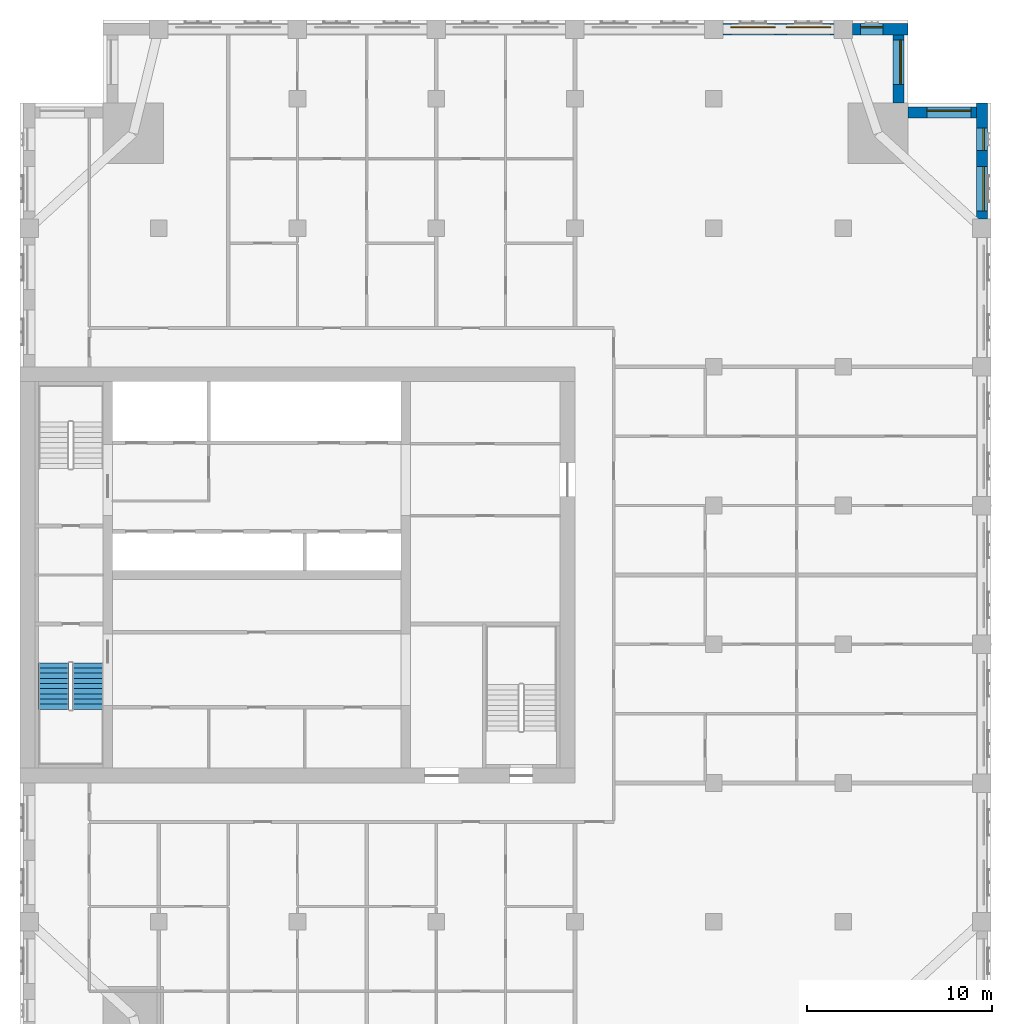
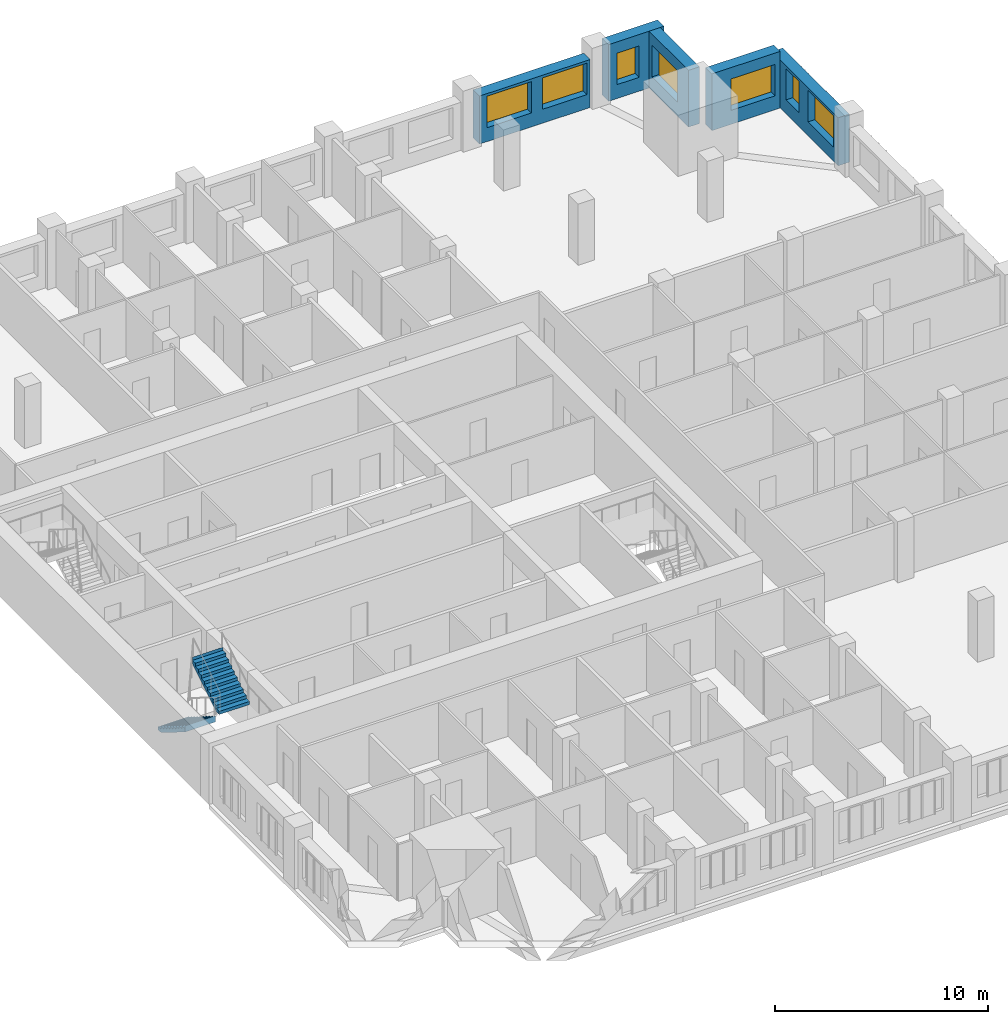
# One storey, part 12 of 14: 7 windows, 5 walls, 2 stair flights, 7 openings, 1 element without a shape of its own.
"""IFC4 building model written with IfcOpenShell, lengths in metres."""

from ifc_helpers import new_model, si_unit, direction, frame, frame_2d, origin, place, context, subcontext, project, spatial, polyline, rectangle, outline, extrude, material, layer, layer_set, type_object, element, fill, aggregate, save


model = new_model("IFC4")

# Units and contexts
model_context = context("Model", 3, precision=1e-05, world=origin(), true_north=direction((0.0, 1.0)))
body_context = subcontext(model_context, "Body", "Model", "MODEL_VIEW")
ifc_project = project(units=[si_unit("LENGTHUNIT", "METRE"), si_unit("AREAUNIT", "SQUARE_METRE"), si_unit("VOLUMEUNIT", "CUBIC_METRE"), si_unit("PLANEANGLEUNIT", "RADIAN"), si_unit("MASSUNIT", "GRAM", prefix="KILO")], contexts=[model_context])

# Site, building, storey
site_placement = place(None, origin())
site = spatial("IfcSite", under=ifc_project, at=site_placement, CompositionType="ELEMENT")
building_placement = place(site_placement, origin())
building = spatial("IfcBuilding", under=site, at=building_placement, Name="Tamorin Gate", CompositionType="ELEMENT")
storey_placement = place(building_placement, frame((0.0, 0.0, 193.199951171875)))
storey = spatial("IfcBuildingStorey", under=building, at=storey_placement, Name="L47", CompositionType="ELEMENT", Elevation=193.199951171875)

# Wall, openings, windows
ifc_material_1 = material(Name="Precast concrete C40/50", Category="concrete")
ifc_layer = layer(ifc_material_1, 0.60009765625)
ifc_layer_set = layer_set([ifc_layer], Name="Precast concrete C40/50")
wall_type = type_object("IfcWallType", Name="Board-marked concrete facade panel 600", PredefinedType="SOLIDWALL", material=ifc_layer_set)
wall_1_placement = place(storey_placement, frame((82.0, 90.5, 0.0), z_axis=(0.0, 0.0, 1.0), x_axis=(0.0, 1.0, 0.0)))
wall_1 = element("IfcWall", 1, at=wall_1_placement, inside=storey, type_object=wall_type, Name="Facade panel", PredefinedType="SOLIDWALL", context=body_context, shape_type="SweptSolid", body=[
    extrude(rectangle(XDim=6.25, YDim=0.60009765625, at=frame_2d((3.125, 0.0))), origin(), (0.0, 0.0, 1.0), 2.75),
])
opening_1_placement = place(wall_1_placement, frame((0.425048828125, 0.0, 0.800048828125)))
opening_1 = element("IfcOpeningElement", 2, at=opening_1_placement, cuts=wall_1, Name="Opening WN1", PredefinedType="OPENING", context=body_context, shape_type="SweptSolid", body=[
    extrude(rectangle(XDim=2.39990234375, YDim=1.800048828125, at=frame_2d((1.199951171875, 0.89990234375))), frame((0.0, 0.31005859375, 0.0), z_axis=(0.0, -1.0, 0.0), x_axis=(1.0, 0.0, 0.0)), (0.0, 0.0, 1.0), 0.6201171875),
])
opening_2_placement = place(wall_1_placement, frame((3.699951171875, 0.0, 0.800048828125)))
opening_2 = element("IfcOpeningElement", 3, at=opening_2_placement, cuts=wall_1, Name="Opening WN3", PredefinedType="OPENING", context=body_context, shape_type="SweptSolid", body=[
    extrude(rectangle(XDim=1.199951171875, YDim=1.800048828125, at=frame_2d((0.60009765625, 0.89990234375))), frame((0.0, 0.31005859375, 0.0), z_axis=(0.0, -1.0, 0.0), x_axis=(1.0, 0.0, 0.0)), (0.0, 0.0, 1.0), 0.6201171875),
])
ifc_material_2 = material(Name="Clear glass in aluminium frame", Category="aluminium")
window_type_1 = type_object("IfcWindowType", Name="Deep-set window 1200x1800", PartitioningType="SINGLE_PANEL", PredefinedType="WINDOW", material=ifc_material_2)
window_1_placement = place(opening_2_placement, origin())
window_1 = element("IfcWindow", 4, at=window_1_placement, inside=storey, type_object=window_type_1, Name="Deep-set window", OverallHeight=1.800048828125, OverallWidth=1.199951171875, PartitioningType="SINGLE_PANEL", PredefinedType="WINDOW", context=body_context, shape_type="SweptSolid", body=[
    extrude(rectangle(XDim=1.199951171875, YDim=1.800048828125, at=frame_2d((0.60009765625, 0.89990234375))), frame((0.0, -0.070068359375, 0.0), z_axis=(0.0, -1.0, 0.0), x_axis=(1.0, 0.0, 0.0)), (0.0, 0.0, 1.0), 0.06005859375),
])
fill(opening_2, window_1)
window_type_2 = type_object("IfcWindowType", Name="Deep-set window 2400x1800", PartitioningType="SINGLE_PANEL", PredefinedType="WINDOW", material=ifc_material_2)
window_2_placement = place(opening_1_placement, origin())
window_2 = element("IfcWindow", 5, at=window_2_placement, inside=storey, type_object=window_type_2, Name="Deep-set window", OverallHeight=1.800048828125, OverallWidth=2.39990234375, PartitioningType="SINGLE_PANEL", PredefinedType="WINDOW", context=body_context, shape_type="SweptSolid", body=[
    extrude(rectangle(XDim=2.39990234375, YDim=1.800048828125, at=frame_2d((1.199951171875, 0.89990234375))), frame((0.0, -0.070068359375, 0.0), z_axis=(0.0, -1.0, 0.0), x_axis=(1.0, 0.0, 0.0)), (0.0, 0.0, 1.0), 0.06005859375),
])
fill(opening_1, window_2)

# Wall, opening, window
wall_2_placement = place(storey_placement, frame((81.699951171875, 96.25, 0.0), z_axis=(0.0, 0.0, 1.0), x_axis=(-1.0, 0.0, 0.0)))
wall_2 = element("IfcWall", 6, at=wall_2_placement, inside=storey, type_object=wall_type, Name="Facade panel", PredefinedType="SOLIDWALL", context=body_context, shape_type="SweptSolid", body=[
    extrude(rectangle(XDim=3.699951171875, YDim=0.60009765625, at=frame_2d((1.85009765625, 0.0))), origin(), (0.0, 0.0, 1.0), 3.25),
])
opening_3_placement = place(wall_2_placement, frame((0.27490234375, 0.0, 0.800048828125)))
opening_3 = element("IfcOpeningElement", 7, at=opening_3_placement, cuts=wall_2, Name="Opening WN1", PredefinedType="OPENING", context=body_context, shape_type="SweptSolid", body=[
    extrude(rectangle(XDim=2.39990234375, YDim=1.800048828125, at=frame_2d((1.199951171875, 0.89990234375))), frame((0.0, 0.31005859375, 0.0), z_axis=(0.0, -1.0, 0.0), x_axis=(1.0, 0.0, 0.0)), (0.0, 0.0, 1.0), 0.6201171875),
])
window_3_placement = place(opening_3_placement, origin())
window_3 = element("IfcWindow", 8, at=window_3_placement, inside=storey, type_object=window_type_2, Name="Deep-set window", OverallHeight=1.800048828125, OverallWidth=2.39990234375, PartitioningType="SINGLE_PANEL", PredefinedType="WINDOW", context=body_context, shape_type="SweptSolid", body=[
    extrude(rectangle(XDim=2.39990234375, YDim=1.800048828125, at=frame_2d((1.199951171875, 0.89990234375))), frame((0.0, -0.070068359375, 0.0), z_axis=(0.0, -1.0, 0.0), x_axis=(1.0, 0.0, 0.0)), (0.0, 0.0, 1.0), 0.06005859375),
])
fill(opening_3, window_3)

wall_3_placement = place(storey_placement, frame((77.5, 96.75, 0.0), z_axis=(0.0, 0.0, 1.0), x_axis=(0.0, 1.0, 0.0)))
wall_3 = element("IfcWall", 9, at=wall_3_placement, inside=storey, type_object=wall_type, Name="Facade panel", PredefinedType="SOLIDWALL", context=body_context, shape_type="SweptSolid", body=[
    extrude(rectangle(XDim=3.699951171875, YDim=0.60009765625, at=frame_2d((1.85009765625, 0.0))), origin(), (0.0, 0.0, 1.0), 3.25),
])
opening_4_placement = place(wall_3_placement, frame((1.02490234375, 0.0, 0.800048828125)))
opening_4 = element("IfcOpeningElement", 10, at=opening_4_placement, cuts=wall_3, Name="Opening WN1", PredefinedType="OPENING", context=body_context, shape_type="SweptSolid", body=[
    extrude(rectangle(XDim=2.39990234375, YDim=1.800048828125, at=frame_2d((1.199951171875, 0.89990234375))), frame((0.0, 0.31005859375, 0.0), z_axis=(0.0, -1.0, 0.0), x_axis=(1.0, 0.0, 0.0)), (0.0, 0.0, 1.0), 0.6201171875),
])
window_4_placement = place(opening_4_placement, origin())
window_4 = element("IfcWindow", 11, at=window_4_placement, inside=storey, type_object=window_type_2, Name="Deep-set window", OverallHeight=1.800048828125, OverallWidth=2.39990234375, PartitioningType="SINGLE_PANEL", PredefinedType="WINDOW", context=body_context, shape_type="SweptSolid", body=[
    extrude(rectangle(XDim=2.39990234375, YDim=1.800048828125, at=frame_2d((1.199951171875, 0.89990234375))), frame((0.0, -0.070068359375, 0.0), z_axis=(0.0, -1.0, 0.0), x_axis=(1.0, 0.0, 0.0)), (0.0, 0.0, 1.0), 0.06005859375),
])
fill(opening_4, window_4)

wall_4_placement = place(storey_placement, frame((78.0, 100.75, 0.0), z_axis=(0.0, 0.0, 1.0), x_axis=(-1.0, 0.0, 0.0)))
wall_4 = element("IfcWall", 12, at=wall_4_placement, inside=storey, type_object=wall_type, Name="Facade panel", PredefinedType="SOLIDWALL", context=body_context, shape_type="SweptSolid", body=[
    extrude(rectangle(XDim=3.0, YDim=0.60009765625, at=frame_2d((1.5, 0.0))), origin(), (0.0, 0.0, 1.0), 3.25),
])
opening_5_placement = place(wall_4_placement, frame((1.35009765625, 0.0, 0.800048828125)))
opening_5 = element("IfcOpeningElement", 13, at=opening_5_placement, cuts=wall_4, Name="Opening WN3", PredefinedType="OPENING", context=body_context, shape_type="SweptSolid", body=[
    extrude(rectangle(XDim=1.199951171875, YDim=1.800048828125, at=frame_2d((0.60009765625, 0.89990234375))), frame((0.0, 0.31005859375, 0.0), z_axis=(0.0, -1.0, 0.0), x_axis=(1.0, 0.0, 0.0)), (0.0, 0.0, 1.0), 0.6201171875),
])
window_5_placement = place(opening_5_placement, origin())
window_5 = element("IfcWindow", 14, at=window_5_placement, inside=storey, type_object=window_type_1, Name="Deep-set window", OverallHeight=1.800048828125, OverallWidth=1.199951171875, PartitioningType="SINGLE_PANEL", PredefinedType="WINDOW", context=body_context, shape_type="SweptSolid", body=[
    extrude(rectangle(XDim=1.199951171875, YDim=1.800048828125, at=frame_2d((0.60009765625, 0.89990234375))), frame((0.0, -0.070068359375, 0.0), z_axis=(0.0, -1.0, 0.0), x_axis=(1.0, 0.0, 0.0)), (0.0, 0.0, 1.0), 0.06005859375),
])
fill(opening_5, window_5)

# Wall, openings, windows
wall_5_placement = place(storey_placement, frame((74.0, 100.75, 0.0), z_axis=(0.0, 0.0, 1.0), x_axis=(-1.0, 0.0, 0.0)))
wall_5 = element("IfcWall", 15, at=wall_5_placement, inside=storey, type_object=wall_type, Name="Facade panel", PredefinedType="SOLIDWALL", context=body_context, shape_type="SweptSolid", body=[
    extrude(rectangle(XDim=6.0, YDim=0.60009765625, at=frame_2d((3.0, 0.0))), origin(), (0.0, 0.0, 1.0), 2.75),
])
opening_6_placement = place(wall_5_placement, frame((3.175048828125, 0.0, 0.800048828125)))
opening_6 = element("IfcOpeningElement", 16, at=opening_6_placement, cuts=wall_5, Name="Opening WN1", PredefinedType="OPENING", context=body_context, shape_type="SweptSolid", body=[
    extrude(rectangle(XDim=2.39990234375, YDim=1.800048828125, at=frame_2d((1.199951171875, 0.89990234375))), frame((0.0, 0.31005859375, 0.0), z_axis=(0.0, -1.0, 0.0), x_axis=(1.0, 0.0, 0.0)), (0.0, 0.0, 1.0), 0.6201171875),
])
opening_7_placement = place(wall_5_placement, frame((0.175048828125, 0.0, 0.800048828125)))
opening_7 = element("IfcOpeningElement", 17, at=opening_7_placement, cuts=wall_5, Name="Opening WN1", PredefinedType="OPENING", context=body_context, shape_type="SweptSolid", body=[
    extrude(rectangle(XDim=2.39990234375, YDim=1.800048828125, at=frame_2d((1.199951171875, 0.89990234375))), frame((0.0, 0.31005859375, 0.0), z_axis=(0.0, -1.0, 0.0), x_axis=(1.0, 0.0, 0.0)), (0.0, 0.0, 1.0), 0.6201171875),
])
window_6_placement = place(opening_6_placement, origin())
window_6 = element("IfcWindow", 18, at=window_6_placement, inside=storey, type_object=window_type_2, Name="Deep-set window", OverallHeight=1.800048828125, OverallWidth=2.39990234375, PartitioningType="SINGLE_PANEL", PredefinedType="WINDOW", context=body_context, shape_type="SweptSolid", body=[
    extrude(rectangle(XDim=2.39990234375, YDim=1.800048828125, at=frame_2d((1.199951171875, 0.89990234375))), frame((0.0, -0.070068359375, 0.0), z_axis=(0.0, -1.0, 0.0), x_axis=(1.0, 0.0, 0.0)), (0.0, 0.0, 1.0), 0.06005859375),
])
fill(opening_6, window_6)
window_7_placement = place(opening_7_placement, origin())
window_7 = element("IfcWindow", 19, at=window_7_placement, inside=storey, type_object=window_type_2, Name="Deep-set window", OverallHeight=1.800048828125, OverallWidth=2.39990234375, PartitioningType="SINGLE_PANEL", PredefinedType="WINDOW", context=body_context, shape_type="SweptSolid", body=[
    extrude(rectangle(XDim=2.39990234375, YDim=1.800048828125, at=frame_2d((1.199951171875, 0.89990234375))), frame((0.0, -0.070068359375, 0.0), z_axis=(0.0, -1.0, 0.0), x_axis=(1.0, 0.0, 0.0)), (0.0, 0.0, 1.0), 0.06005859375),
])
fill(opening_7, window_7)

# Stair, stair flights
ifc_material_3 = material(Name="Concrete C40/50", Category="concrete")
stair_type = type_object("IfcStairType", Name="Exit stair", PredefinedType="HALF_TURN_STAIR", material=ifc_material_3)
stair_placement = place(storey_placement, origin())
stair = element("IfcStair", 20, at=stair_placement, inside=storey, type_object=stair_type, Name="L47 stair ST1", PredefinedType="HALF_TURN_STAIR")
stair_flight_type = type_object("IfcStairFlightType", Name="Exit stair flight", PredefinedType="STRAIGHT", material=ifc_material_3)
stair_flight_1_placement = place(storey_placement, frame((31.824951171875, 66.5, 0.0), z_axis=(0.0, 0.0, 1.0), x_axis=(0.0, -1.0, 0.0)))
stair_flight_1 = element("IfcStairFlight", 21, at=stair_flight_1_placement, type_object=stair_flight_type, Name="ST1 flight 1", NumberOfRisers=10, NumberOfTreads=9, PredefinedType="STRAIGHT", RiserHeight=0.175, TreadLength=0.28, context=body_context, shape_type="SweptSolid", body=[
    extrude(outline(polyline([(-0.00048828125, 0.0), (-0.00048828125, 0.001708984375), (-0.00048828125, 0.00341796875), (-0.00048828125, 0.005126953125), (-0.00048828125, 0.0068359375), (-0.00048828125, 0.008544921875), (-0.00048828125, 0.010498046875), (-0.00048828125, 0.01220703125), (-0.00048828125, 0.013916015625), (-0.00048828125, 0.015625), (-0.00048828125, 0.017333984375), (-0.00048828125, 0.01904296875), (-0.00048828125, 0.020751953125), (-0.00048828125, 0.0224609375), (-0.00048828125, 0.024169921875), (-0.00048828125, 0.02587890625), (-0.00048828125, 0.02783203125), (-0.00048828125, 0.029541015625), (-0.00048828125, 0.03125), (-0.00048828125, 0.032958984375), (-0.00048828125, 0.03466796875), (-0.00048828125, 0.036376953125), (-0.00048828125, 0.0380859375), (-0.00048828125, 0.039794921875), (-0.00048828125, 0.04150390625), (-0.00048828125, 0.043212890625), (-0.00048828125, 0.045166015625), (-0.00048828125, 0.046875), (-0.00048828125, 0.048583984375), (-0.00048828125, 0.05029296875), (-0.00048828125, 0.052001953125), (-0.00048828125, 0.0537109375), (-0.00048828125, 0.055419921875), (-0.00048828125, 0.05712890625), (-0.00048828125, 0.058837890625), (-0.00048828125, 0.060546875), (-0.00048828125, 0.062255859375), (-0.00048828125, 0.064208984375), (-0.00048828125, 0.06591796875), (-0.00048828125, 0.067626953125), (-0.00048828125, 0.0693359375), (-0.00048828125, 0.071044921875), (-0.00048828125, 0.07275390625), (-0.00048828125, 0.074462890625), (-0.00048828125, 0.076171875), (-0.00048828125, 0.077880859375), (-0.00048828125, 0.07958984375), (-0.00048828125, 0.08154296875), (-0.00048828125, 0.083251953125), (-0.00048828125, 0.0849609375), (-0.00048828125, 0.086669921875), (-0.00048828125, 0.08837890625), (-0.00048828125, 0.090087890625), (-0.00048828125, 0.091796875), (-0.00048828125, 0.093505859375), (-0.00048828125, 0.09521484375), (-0.00048828125, 0.096923828125), (-0.00048828125, 0.098876953125), (-0.00048828125, 0.1005859375), (-0.00048828125, 0.102294921875), (-0.00048828125, 0.10400390625), (-0.00048828125, 0.105712890625), (-0.00048828125, 0.107421875), (-0.00048828125, 0.109130859375), (-0.00048828125, 0.11083984375), (-0.00048828125, 0.112548828125), (-0.00048828125, 0.1142578125), (-0.00048828125, 0.1162109375), (-0.00048828125, 0.117919921875), (-0.00048828125, 0.11962890625), (-0.00048828125, 0.121337890625), (-0.00048828125, 0.123046875), (-0.00048828125, 0.124755859375), (-0.00048828125, 0.12646484375), (-0.00048828125, 0.128173828125), (-0.00048828125, 0.1298828125), (-0.00048828125, 0.131591796875), (-0.00048828125, 0.13330078125), (-0.00048828125, 0.13525390625), (-0.00048828125, 0.136962890625), (-0.00048828125, 0.138671875), (-0.00048828125, 0.140380859375), (-0.00048828125, 0.14208984375), (-0.00048828125, 0.143798828125), (-0.00048828125, 0.1455078125), (-0.00048828125, 0.147216796875), (-0.00048828125, 0.14892578125), (-0.00048828125, 0.150634765625), (-0.00048828125, 0.152587890625), (-0.00048828125, 0.154296875), (-0.00048828125, 0.156005859375), (-0.00048828125, 0.15771484375), (-0.00048828125, 0.159423828125), (-0.00048828125, 0.1611328125), (-0.00048828125, 0.162841796875), (-0.00048828125, 0.16455078125), (-0.00048828125, 0.166259765625), (-0.00048828125, 0.16796875), (-0.00048828125, 0.169921875), (-0.00048828125, 0.171630859375), (-0.00048828125, 0.17333984375), (-0.00048828125, 0.175048828125), (0.280029296875, 0.175048828125), (0.280029296875, 0.35009765625), (0.56005859375, 0.35009765625), (0.56005859375, 0.52490234375), (0.840087890625, 0.52490234375), (0.840087890625, 0.699951171875), (1.1201171875, 0.699951171875), (1.1201171875, 0.875), (1.39990234375, 0.875), (1.39990234375, 1.050048828125), (1.679931640625, 1.050048828125), (1.679931640625, 1.22509765625), (1.9599609375, 1.22509765625), (1.9599609375, 1.39990234375), (2.239990234375, 1.39990234375), (2.239990234375, 1.574951171875), (2.52001953125, 1.574951171875), (2.52001953125, 1.75), (2.5205078125, 1.75), (2.5205078125, 1.74658203125), (2.5205078125, 1.742919921875), (2.5205078125, 1.739501953125), (2.5205078125, 1.736083984375), (2.5205078125, 1.732666015625), (2.5205078125, 1.72900390625), (2.5205078125, 1.7255859375), (2.5205078125, 1.72216796875), (2.5205078125, 1.71875), (2.5205078125, 1.715087890625), (2.5205078125, 1.711669921875), (2.5205078125, 1.708251953125), (2.5205078125, 1.704833984375), (2.5205078125, 1.701171875), (2.5205078125, 1.69775390625), (2.5205078125, 1.6943359375), (2.5205078125, 1.690673828125), (2.5205078125, 1.687255859375), (2.5205078125, 1.683837890625), (2.5205078125, 1.680419921875), (2.5205078125, 1.6767578125), (2.5205078125, 1.67333984375), (2.5205078125, 1.669921875), (2.5205078125, 1.66650390625), (2.5205078125, 1.662841796875), (2.5205078125, 1.659423828125), (2.5205078125, 1.656005859375), (2.5205078125, 1.652587890625), (2.5205078125, 1.64892578125), (2.5205078125, 1.6455078125), (2.5205078125, 1.64208984375), (2.5205078125, 1.638427734375), (2.5205078125, 1.635009765625), (2.5205078125, 1.631591796875), (2.5205078125, 1.628173828125), (2.5205078125, 1.62451171875), (2.5205078125, 1.62109375), (2.5205078125, 1.61767578125), (2.5205078125, 1.6142578125), (2.5205078125, 1.610595703125), (2.5205078125, 1.607177734375), (2.5205078125, 1.603759765625), (2.5205078125, 1.600341796875), (2.5205078125, 1.5966796875), (2.5205078125, 1.59326171875), (2.5205078125, 1.58984375), (2.5205078125, 1.58642578125), (2.5205078125, 1.582763671875), (2.5205078125, 1.579345703125), (2.5205078125, 1.575927734375), (2.5205078125, 1.572265625), (2.5205078125, 1.56884765625), (2.5205078125, 1.5654296875), (2.5205078125, 1.56201171875), (2.5205078125, 1.558349609375), (2.5205078125, 1.554931640625), (2.5205078125, 1.551513671875), (2.5205078125, 1.548095703125), (2.5205078125, 1.54443359375), (2.5205078125, 1.541015625), (2.5205078125, 1.53759765625), (2.5205078125, 1.5341796875), (2.5205078125, 1.530517578125), (2.5205078125, 1.527099609375), (2.5205078125, 1.523681640625), (2.5205078125, 1.52001953125), (2.5205078125, 1.5166015625), (2.5205078125, 1.51318359375), (2.5205078125, 1.509765625), (2.5205078125, 1.506103515625), (2.5205078125, 1.502685546875), (2.5205078125, 1.499267578125), (2.5205078125, 1.495849609375), (2.5205078125, 1.4921875), (2.5205078125, 1.48876953125), (2.5205078125, 1.4853515625), (2.5205078125, 1.48193359375), (2.5205078125, 1.478271484375), (2.5205078125, 1.474853515625), (2.5205078125, 1.471435546875), (2.5205078125, 1.4677734375), (2.5205078125, 1.46435546875), (2.5205078125, 1.4609375), (2.5205078125, 1.45751953125), (2.5205078125, 1.453857421875), (2.5205078125, 1.450439453125), (2.5205078125, 1.447021484375), (2.5205078125, 1.443603515625), (2.5205078125, 1.43994140625), (2.5205078125, 1.4365234375), (2.5205078125, 1.43310546875), (2.5205078125, 1.4296875), (2.5205078125, 1.426025390625), (2.5205078125, 1.422607421875), (2.5205078125, 1.419189453125), (2.5205078125, 1.41552734375), (2.5205078125, 1.412109375), (2.5205078125, 1.40869140625), (2.5205078125, 1.4052734375), (2.5205078125, 1.401611328125), (2.5205078125, 1.398193359375), (2.52001953125, 1.398193359375), (0.28271484375, 0.0), (-0.00048828125, 0.0)])), frame((0.0, 0.824951171875, 0.0), z_axis=(0.0, -1.0, 0.0), x_axis=(1.0, 0.0, 0.0)), (0.0, 0.0, 1.0), 1.64990234375),
])
stair_flight_2_placement = place(storey_placement, frame((33.675048828125, 63.97998046875, 1.75), z_axis=(0.0, 0.0, 1.0), x_axis=(0.0, 1.0, 0.0)))
stair_flight_2 = element("IfcStairFlight", 22, at=stair_flight_2_placement, type_object=stair_flight_type, Name="ST1 flight 2", NumberOfRisers=10, NumberOfTreads=9, PredefinedType="STRAIGHT", RiserHeight=0.175, TreadLength=0.28, context=body_context, shape_type="SweptSolid", body=[
    extrude(outline(polyline([(-0.00048828125, 0.0), (-0.00048828125, 0.001708984375), (-0.00048828125, 0.00341796875), (-0.00048828125, 0.005126953125), (-0.00048828125, 0.0068359375), (-0.00048828125, 0.008544921875), (-0.00048828125, 0.010498046875), (-0.00048828125, 0.01220703125), (-0.00048828125, 0.013916015625), (-0.00048828125, 0.015625), (-0.00048828125, 0.017333984375), (-0.00048828125, 0.01904296875), (-0.00048828125, 0.020751953125), (-0.00048828125, 0.0224609375), (-0.00048828125, 0.024169921875), (-0.00048828125, 0.02587890625), (-0.00048828125, 0.02783203125), (-0.00048828125, 0.029541015625), (-0.00048828125, 0.03125), (-0.00048828125, 0.032958984375), (-0.00048828125, 0.03466796875), (-0.00048828125, 0.036376953125), (-0.00048828125, 0.0380859375), (-0.00048828125, 0.039794921875), (-0.00048828125, 0.04150390625), (-0.00048828125, 0.043212890625), (-0.00048828125, 0.045166015625), (-0.00048828125, 0.046875), (-0.00048828125, 0.048583984375), (-0.00048828125, 0.05029296875), (-0.00048828125, 0.052001953125), (-0.00048828125, 0.0537109375), (-0.00048828125, 0.055419921875), (-0.00048828125, 0.05712890625), (-0.00048828125, 0.058837890625), (-0.00048828125, 0.060546875), (-0.00048828125, 0.062255859375), (-0.00048828125, 0.064208984375), (-0.00048828125, 0.06591796875), (-0.00048828125, 0.067626953125), (-0.00048828125, 0.0693359375), (-0.00048828125, 0.071044921875), (-0.00048828125, 0.07275390625), (-0.00048828125, 0.074462890625), (-0.00048828125, 0.076171875), (-0.00048828125, 0.077880859375), (-0.00048828125, 0.07958984375), (-0.00048828125, 0.08154296875), (-0.00048828125, 0.083251953125), (-0.00048828125, 0.0849609375), (-0.00048828125, 0.086669921875), (-0.00048828125, 0.08837890625), (-0.00048828125, 0.090087890625), (-0.00048828125, 0.091796875), (-0.00048828125, 0.093505859375), (-0.00048828125, 0.09521484375), (-0.00048828125, 0.096923828125), (-0.00048828125, 0.098876953125), (-0.00048828125, 0.1005859375), (-0.00048828125, 0.102294921875), (-0.00048828125, 0.10400390625), (-0.00048828125, 0.105712890625), (-0.00048828125, 0.107421875), (-0.00048828125, 0.109130859375), (-0.00048828125, 0.11083984375), (-0.00048828125, 0.112548828125), (-0.00048828125, 0.1142578125), (-0.00048828125, 0.1162109375), (-0.00048828125, 0.117919921875), (-0.00048828125, 0.11962890625), (-0.00048828125, 0.121337890625), (-0.00048828125, 0.123046875), (-0.00048828125, 0.124755859375), (-0.00048828125, 0.12646484375), (-0.00048828125, 0.128173828125), (-0.00048828125, 0.1298828125), (-0.00048828125, 0.131591796875), (-0.00048828125, 0.13330078125), (-0.00048828125, 0.13525390625), (-0.00048828125, 0.136962890625), (-0.00048828125, 0.138671875), (-0.00048828125, 0.140380859375), (-0.00048828125, 0.14208984375), (-0.00048828125, 0.143798828125), (-0.00048828125, 0.1455078125), (-0.00048828125, 0.147216796875), (-0.00048828125, 0.14892578125), (-0.00048828125, 0.150634765625), (-0.00048828125, 0.152587890625), (-0.00048828125, 0.154296875), (-0.00048828125, 0.156005859375), (-0.00048828125, 0.15771484375), (-0.00048828125, 0.159423828125), (-0.00048828125, 0.1611328125), (-0.00048828125, 0.162841796875), (-0.00048828125, 0.16455078125), (-0.00048828125, 0.166259765625), (-0.00048828125, 0.16796875), (-0.00048828125, 0.169921875), (-0.00048828125, 0.171630859375), (-0.00048828125, 0.17333984375), (-0.00048828125, 0.175048828125), (0.280029296875, 0.175048828125), (0.280029296875, 0.35009765625), (0.56005859375, 0.35009765625), (0.56005859375, 0.52490234375), (0.840087890625, 0.52490234375), (0.840087890625, 0.699951171875), (1.1201171875, 0.699951171875), (1.1201171875, 0.875), (1.39990234375, 0.875), (1.39990234375, 1.050048828125), (1.679931640625, 1.050048828125), (1.679931640625, 1.22509765625), (1.9599609375, 1.22509765625), (1.9599609375, 1.39990234375), (2.239990234375, 1.39990234375), (2.239990234375, 1.574951171875), (2.52001953125, 1.574951171875), (2.52001953125, 1.75), (2.5205078125, 1.75), (2.5205078125, 1.74658203125), (2.5205078125, 1.742919921875), (2.5205078125, 1.739501953125), (2.5205078125, 1.736083984375), (2.5205078125, 1.732666015625), (2.5205078125, 1.72900390625), (2.5205078125, 1.7255859375), (2.5205078125, 1.72216796875), (2.5205078125, 1.71875), (2.5205078125, 1.715087890625), (2.5205078125, 1.711669921875), (2.5205078125, 1.708251953125), (2.5205078125, 1.704833984375), (2.5205078125, 1.701171875), (2.5205078125, 1.69775390625), (2.5205078125, 1.6943359375), (2.5205078125, 1.690673828125), (2.5205078125, 1.687255859375), (2.5205078125, 1.683837890625), (2.5205078125, 1.680419921875), (2.5205078125, 1.6767578125), (2.5205078125, 1.67333984375), (2.5205078125, 1.669921875), (2.5205078125, 1.66650390625), (2.5205078125, 1.662841796875), (2.5205078125, 1.659423828125), (2.5205078125, 1.656005859375), (2.5205078125, 1.652587890625), (2.5205078125, 1.64892578125), (2.5205078125, 1.6455078125), (2.5205078125, 1.64208984375), (2.5205078125, 1.638427734375), (2.5205078125, 1.635009765625), (2.5205078125, 1.631591796875), (2.5205078125, 1.628173828125), (2.5205078125, 1.62451171875), (2.5205078125, 1.62109375), (2.5205078125, 1.61767578125), (2.5205078125, 1.6142578125), (2.5205078125, 1.610595703125), (2.5205078125, 1.607177734375), (2.5205078125, 1.603759765625), (2.5205078125, 1.600341796875), (2.5205078125, 1.5966796875), (2.5205078125, 1.59326171875), (2.5205078125, 1.58984375), (2.5205078125, 1.58642578125), (2.5205078125, 1.582763671875), (2.5205078125, 1.579345703125), (2.5205078125, 1.575927734375), (2.5205078125, 1.572265625), (2.5205078125, 1.56884765625), (2.5205078125, 1.5654296875), (2.5205078125, 1.56201171875), (2.5205078125, 1.558349609375), (2.5205078125, 1.554931640625), (2.5205078125, 1.551513671875), (2.5205078125, 1.548095703125), (2.5205078125, 1.54443359375), (2.5205078125, 1.541015625), (2.5205078125, 1.53759765625), (2.5205078125, 1.5341796875), (2.5205078125, 1.530517578125), (2.5205078125, 1.527099609375), (2.5205078125, 1.523681640625), (2.5205078125, 1.52001953125), (2.5205078125, 1.5166015625), (2.5205078125, 1.51318359375), (2.5205078125, 1.509765625), (2.5205078125, 1.506103515625), (2.5205078125, 1.502685546875), (2.5205078125, 1.499267578125), (2.5205078125, 1.495849609375), (2.5205078125, 1.4921875), (2.5205078125, 1.48876953125), (2.5205078125, 1.4853515625), (2.5205078125, 1.48193359375), (2.5205078125, 1.478271484375), (2.5205078125, 1.474853515625), (2.5205078125, 1.471435546875), (2.5205078125, 1.4677734375), (2.5205078125, 1.46435546875), (2.5205078125, 1.4609375), (2.5205078125, 1.45751953125), (2.5205078125, 1.453857421875), (2.5205078125, 1.450439453125), (2.5205078125, 1.447021484375), (2.5205078125, 1.443603515625), (2.5205078125, 1.43994140625), (2.5205078125, 1.4365234375), (2.5205078125, 1.43310546875), (2.5205078125, 1.4296875), (2.5205078125, 1.426025390625), (2.5205078125, 1.422607421875), (2.5205078125, 1.419189453125), (2.5205078125, 1.41552734375), (2.5205078125, 1.412109375), (2.5205078125, 1.40869140625), (2.5205078125, 1.4052734375), (2.5205078125, 1.401611328125), (2.5205078125, 1.398193359375), (2.52001953125, 1.398193359375), (0.28271484375, 0.0), (-0.00048828125, 0.0)])), frame((0.0, 0.824951171875, 0.0), z_axis=(0.0, -1.0, 0.0), x_axis=(1.0, 0.0, 0.0)), (0.0, 0.0, 1.0), 1.64990234375),
])
aggregate(stair, [stair_flight_1, stair_flight_2])

save(model, "model.ifc")
